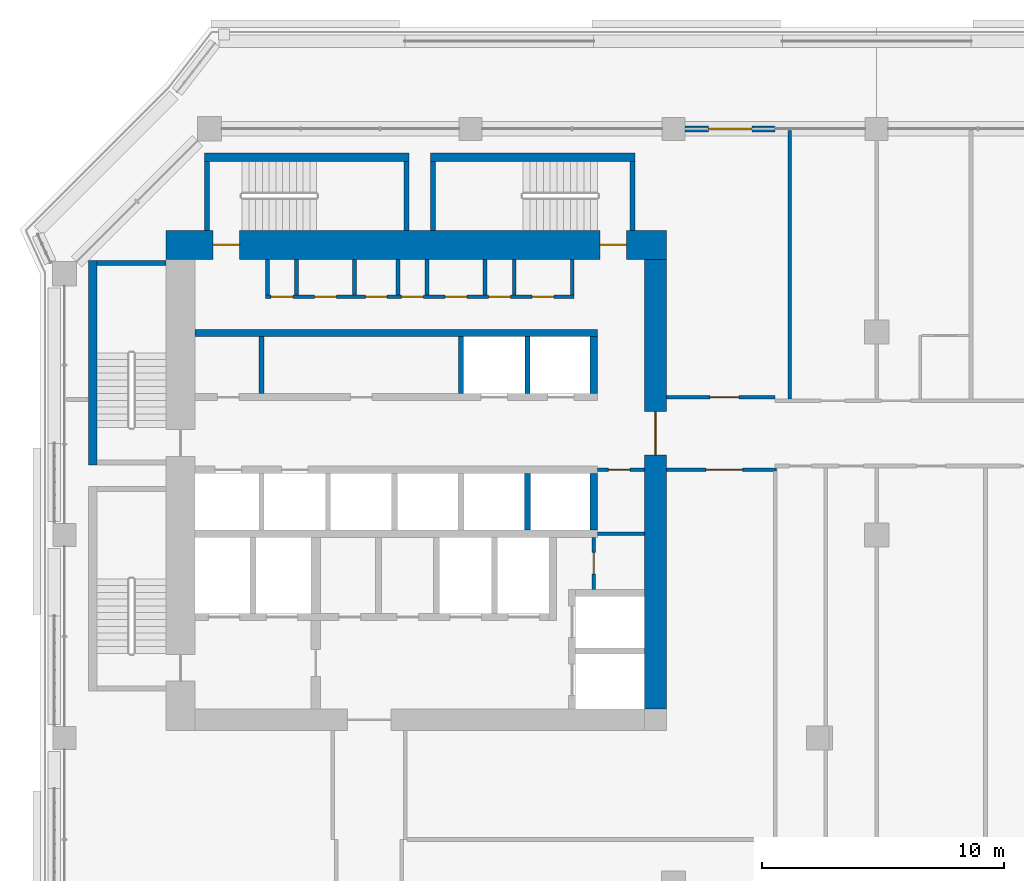
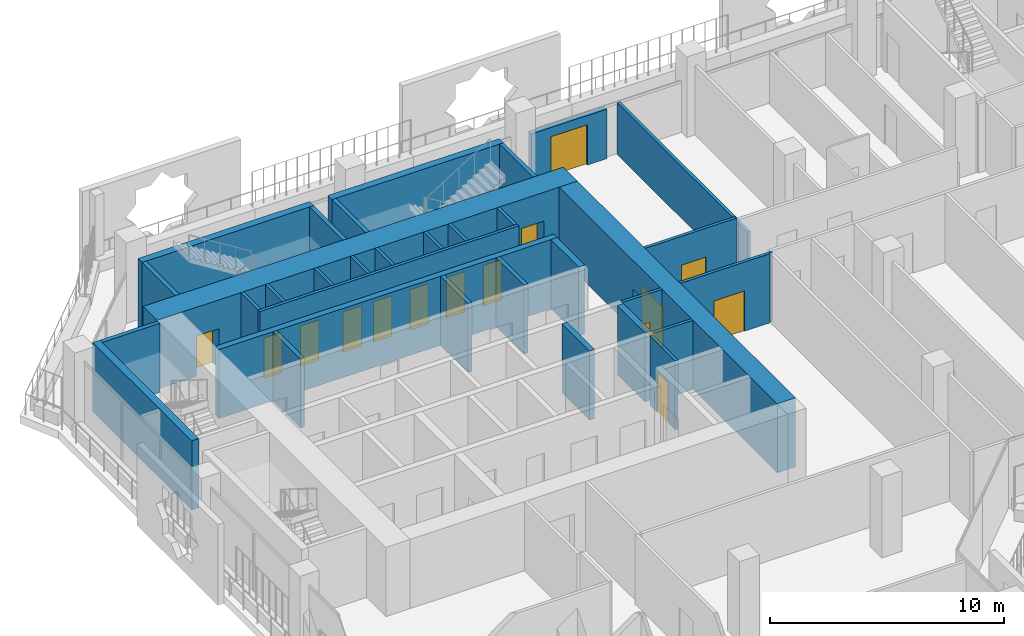
# One storey, part 12 of 23: 34 walls, 15 doors, 15 openings.
"""IFC4 building model written with IfcOpenShell, lengths in metres."""

from ifc_helpers import new_model, si_unit, direction, frame, frame_2d, origin, place, context, subcontext, project, spatial, rectangle, extrude, material, layer, layer_set, type_object, element, fill, save


model = new_model("IFC4")

# Units and contexts
model_context = context("Model", 3, precision=1e-05, world=origin(), true_north=direction((0.0, 1.0)))
body_context = subcontext(model_context, "Body", "Model", "MODEL_VIEW")
ifc_project = project(units=[si_unit("LENGTHUNIT", "METRE"), si_unit("AREAUNIT", "SQUARE_METRE"), si_unit("VOLUMEUNIT", "CUBIC_METRE"), si_unit("PLANEANGLEUNIT", "RADIAN"), si_unit("MASSUNIT", "GRAM", prefix="KILO")], contexts=[model_context])

# Site, building, storey
site_placement = place(None, origin())
site = spatial("IfcSite", under=ifc_project, at=site_placement, CompositionType="ELEMENT")
building_placement = place(site_placement, origin())
building = spatial("IfcBuilding", under=site, at=building_placement, Name="Kawkab Arch Medical Tower", CompositionType="ELEMENT")
storey_placement = place(building_placement, frame((0.0, 0.0, 175.199951171875)))
storey = spatial("IfcBuildingStorey", under=building, at=storey_placement, Name="L40", CompositionType="ELEMENT", Elevation=175.199951171875)

# Wall, openings, doors
ifc_material_1 = material(Name="Concrete C55/67", Category="concrete")
ifc_layer_1 = layer(ifc_material_1, 1.199951171875)
ifc_layer_set_1 = layer_set([ifc_layer_1], Name="Concrete C55/67")
wall_type_1 = type_object("IfcWallType", Name="Core ring wall 1200 C55/67", PredefinedType="SHEAR", material=ifc_layer_set_1)
wall_1_placement = place(storey_placement, frame((4.199951171875, -4.800048828125, 0.0), z_axis=(0.0, 0.0, 1.0), x_axis=(1.0, 0.0, 0.0)))
wall_1 = element("IfcWall", 1, at=wall_1_placement, inside=storey, type_object=wall_type_1, Name="L40 core wall", PredefinedType="SHEAR", context=body_context, shape_type="SweptSolid", body=[
    extrude(rectangle(XDim=20.699951171875, YDim=1.199951171875, at=frame_2d((10.35009765625, 0.0))), origin(), (0.0, 0.0, 1.0), 3.60009765625),
])
opening_1_placement = place(wall_1_placement, frame((1.949951171875, 0.0, 0.0)))
opening_1 = element("IfcOpeningElement", 2, at=opening_1_placement, cuts=wall_1, Name="Opening SD", PredefinedType="OPENING", context=body_context, shape_type="SweptSolid", body=[
    extrude(rectangle(XDim=1.10009765625, YDim=2.10009765625, at=frame_2d((0.550048828125, 1.050048828125))), frame((0.0, 0.60986328125, 0.0), z_axis=(0.0, -1.0, 0.0), x_axis=(1.0, 0.0, 0.0)), (0.0, 0.0, 1.0), 1.219970703125),
])
opening_2_placement = place(wall_1_placement, frame((17.949951171875, 0.0, 0.0)))
opening_2 = element("IfcOpeningElement", 3, at=opening_2_placement, cuts=wall_1, Name="Opening SD", PredefinedType="OPENING", context=body_context, shape_type="SweptSolid", body=[
    extrude(rectangle(XDim=1.10009765625, YDim=2.10009765625, at=frame_2d((0.550048828125, 1.050048828125))), frame((0.0, 0.60986328125, 0.0), z_axis=(0.0, -1.0, 0.0), x_axis=(1.0, 0.0, 0.0)), (0.0, 0.0, 1.0), 1.219970703125),
])
ifc_material_2 = material(Name="Hollow metal fire door leaf")
door_type_1 = type_object("IfcDoorType", Name="Exit stair door 1100", OperationType="SINGLE_SWING_LEFT", PredefinedType="DOOR", material=ifc_material_2)
door_1_placement = place(opening_1_placement, origin())
door_1 = element("IfcDoor", 4, at=door_1_placement, inside=storey, type_object=door_type_1, Name="L40 Exit stair ST3 door", OperationType="SINGLE_SWING_LEFT", OverallHeight=2.10009765625, OverallWidth=1.10009765625, PredefinedType="DOOR", context=body_context, shape_type="SweptSolid", body=[
    extrude(rectangle(XDim=1.10009765625, YDim=2.10009765625, at=frame_2d((0.550048828125, 1.050048828125))), frame((0.0, 0.02490234375, 0.0), z_axis=(0.0, -1.0, 0.0), x_axis=(1.0, 0.0, 0.0)), (0.0, 0.0, 1.0), 0.050048828125),
])
fill(opening_1, door_1)
door_2_placement = place(opening_2_placement, origin())
door_2 = element("IfcDoor", 5, at=door_2_placement, inside=storey, type_object=door_type_1, Name="L40 Exit stair ST4 door", OperationType="SINGLE_SWING_LEFT", OverallHeight=2.10009765625, OverallWidth=1.10009765625, PredefinedType="DOOR", context=body_context, shape_type="SweptSolid", body=[
    extrude(rectangle(XDim=1.10009765625, YDim=2.10009765625, at=frame_2d((0.550048828125, 1.050048828125))), frame((0.0, 0.02490234375, 0.0), z_axis=(0.0, -1.0, 0.0), x_axis=(1.0, 0.0, 0.0)), (0.0, 0.0, 1.0), 0.050048828125),
])
fill(opening_2, door_2)

# Wall, opening, door
ifc_material_3 = material(Name="Concrete C55/67", Category="concrete")
ifc_layer_2 = layer(ifc_material_3, 0.89990234375)
ifc_layer_set_2 = layer_set([ifc_layer_2], Name="Concrete C55/67")
wall_type_2 = type_object("IfcWallType", Name="Core ring wall 900 C55/67", PredefinedType="SHEAR", material=ifc_layer_set_2)
wall_2_placement = place(storey_placement, frame((24.449951171875, -24.0, 0.0), z_axis=(0.0, 0.0, 1.0), x_axis=(0.0, 1.0, 0.0)))
wall_2 = element("IfcWall", 6, at=wall_2_placement, inside=storey, type_object=wall_type_2, Name="L40 core wall", PredefinedType="SHEAR", context=body_context, shape_type="SweptSolid", body=[
    extrude(rectangle(XDim=18.60009765625, YDim=0.89990234375, at=frame_2d((9.300048828125, 0.0))), origin(), (0.0, 0.0, 1.0), 3.60009765625),
])
opening_3_placement = place(wall_2_placement, frame((10.5, 0.0, 0.0)))
opening_3 = element("IfcOpeningElement", 7, at=opening_3_placement, cuts=wall_2, Name="Opening PD", PredefinedType="OPENING", context=body_context, shape_type="SweptSolid", body=[
    extrude(rectangle(XDim=1.800048828125, YDim=2.10009765625, at=frame_2d((0.89990234375, 1.050048828125))), frame((0.0, 0.4599609375, 0.0), z_axis=(0.0, -1.0, 0.0), x_axis=(1.0, 0.0, 0.0)), (0.0, 0.0, 1.0), 0.919921875),
])
ifc_material_4 = material(Name="Hollow metal fire door leaf")
door_type_2 = type_object("IfcDoorType", Name="Core entrance doors 1800", OperationType="DOUBLE_DOOR_SINGLE_SWING", PredefinedType="DOOR", material=ifc_material_4)
door_3_placement = place(opening_3_placement, origin())
door_3 = element("IfcDoor", 8, at=door_3_placement, inside=storey, type_object=door_type_2, Name="L40 East entrance doors", OperationType="DOUBLE_DOOR_SINGLE_SWING", OverallHeight=2.10009765625, OverallWidth=1.800048828125, PredefinedType="DOOR", context=body_context, shape_type="SweptSolid", body=[
    extrude(rectangle(XDim=1.800048828125, YDim=2.10009765625, at=frame_2d((0.89990234375, 1.050048828125))), frame((0.0, 0.02490234375, 0.0), z_axis=(0.0, -1.0, 0.0), x_axis=(1.0, 0.0, 0.0)), (0.0, 0.0, 1.0), 0.050048828125),
])
fill(opening_3, door_3)

ifc_material_5 = material(Name="Gypsum board on steel studs", Category="steel")
ifc_layer_3 = layer(ifc_material_5, 0.14990234375)
ifc_layer_set_3 = layer_set([ifc_layer_3], Name="Gypsum board on steel studs")
wall_type_3 = type_object("IfcWallType", Name="Core room partition 150", PredefinedType="PARTITIONING", material=ifc_layer_set_3)
wall_3_placement = place(storey_placement, frame((21.89990234375, -19.050048828125, 0.0), z_axis=(0.0, 0.0, 1.0), x_axis=(0.0, 1.0, 0.0)))
wall_3 = element("IfcWall", 9, at=wall_3_placement, inside=storey, type_object=wall_type_3, Name="L40 core room partition", PredefinedType="PARTITIONING", context=body_context, shape_type="SweptSolid", body=[
    extrude(rectangle(XDim=2.150146484375, YDim=0.14990234375, at=frame_2d((1.0751953125, 0.0))), origin(), (0.0, 0.0, 1.0), 3.60009765625),
])
opening_4_placement = place(wall_3_placement, frame((0.625, 0.0, 0.0)))
opening_4 = element("IfcOpeningElement", 10, at=opening_4_placement, cuts=wall_3, Name="Opening RD", PredefinedType="OPENING", context=body_context, shape_type="SweptSolid", body=[
    extrude(rectangle(XDim=0.89990234375, YDim=2.10009765625, at=frame_2d((0.449951171875, 1.050048828125))), frame((0.0, 0.0849609375, 0.0), z_axis=(0.0, -1.0, 0.0), x_axis=(1.0, 0.0, 0.0)), (0.0, 0.0, 1.0), 0.169921875),
])
ifc_material_6 = material(Name="Hollow metal fire door leaf")
door_type_3 = type_object("IfcDoorType", Name="Core room door 900", OperationType="SINGLE_SWING_LEFT", PredefinedType="DOOR", material=ifc_material_6)
door_4_placement = place(opening_4_placement, origin())
door_4 = element("IfcDoor", 11, at=door_4_placement, inside=storey, type_object=door_type_3, Name="L40 Staff WC door", OperationType="SINGLE_SWING_LEFT", OverallHeight=2.10009765625, OverallWidth=0.89990234375, PredefinedType="DOOR", context=body_context, shape_type="SweptSolid", body=[
    extrude(rectangle(XDim=0.89990234375, YDim=2.10009765625, at=frame_2d((0.449951171875, 1.050048828125))), frame((0.0, 0.02490234375, 0.0), z_axis=(0.0, -1.0, 0.0), x_axis=(1.0, 0.0, 0.0)), (0.0, 0.0, 1.0), 0.050048828125),
])
fill(opening_4, door_4)

# Wall
wall_4_placement = place(storey_placement, frame((22.050048828125, -16.75, 0.0), z_axis=(0.0, 0.0, 1.0), x_axis=(1.0, 0.0, 0.0)))
element("IfcWall", 12, at=wall_4_placement, inside=storey, type_object=wall_type_3, Name="L40 core room partition", PredefinedType="PARTITIONING", context=body_context, shape_type="SweptSolid", body=[
    extrude(rectangle(XDim=1.949951171875, YDim=0.14990234375, at=frame_2d((0.97509765625, 0.0))), origin(), (0.0, 0.0, 1.0), 3.60009765625),
])

# Wall, opening, door
wall_5_placement = place(storey_placement, frame((22.050048828125, -14.10009765625, 0.0), z_axis=(0.0, 0.0, 1.0), x_axis=(1.0, 0.0, 0.0)))
wall_5 = element("IfcWall", 13, at=wall_5_placement, inside=storey, type_object=wall_type_3, Name="L40 core room partition", PredefinedType="PARTITIONING", context=body_context, shape_type="SweptSolid", body=[
    extrude(rectangle(XDim=1.949951171875, YDim=0.14990234375, at=frame_2d((0.97509765625, 0.0))), origin(), (0.0, 0.0, 1.0), 3.60009765625),
])
opening_5_placement = place(wall_5_placement, frame((0.449951171875, 0.0, 0.0)))
opening_5 = element("IfcOpeningElement", 14, at=opening_5_placement, cuts=wall_5, Name="Opening RD", PredefinedType="OPENING", context=body_context, shape_type="SweptSolid", body=[
    extrude(rectangle(XDim=0.89990234375, YDim=2.10009765625, at=frame_2d((0.449951171875, 1.050048828125))), frame((0.0, 0.0849609375, 0.0), z_axis=(0.0, -1.0, 0.0), x_axis=(1.0, 0.0, 0.0)), (0.0, 0.0, 1.0), 0.169921875),
])
door_5_placement = place(opening_5_placement, origin())
door_5 = element("IfcDoor", 15, at=door_5_placement, inside=storey, type_object=door_type_3, Name="L40 Linen store door", OperationType="SINGLE_SWING_LEFT", OverallHeight=2.10009765625, OverallWidth=0.89990234375, PredefinedType="DOOR", context=body_context, shape_type="SweptSolid", body=[
    extrude(rectangle(XDim=0.89990234375, YDim=2.10009765625, at=frame_2d((0.449951171875, 1.050048828125))), frame((0.0, 0.02490234375, 0.0), z_axis=(0.0, -1.0, 0.0), x_axis=(1.0, 0.0, 0.0)), (0.0, 0.0, 1.0), 0.050048828125),
])
fill(opening_5, door_5)

# Wall, openings, doors
wall_6_placement = place(storey_placement, frame((8.324951171875, -6.949951171875, 0.0), z_axis=(0.0, 0.0, 1.0), x_axis=(1.0, 0.0, 0.0)))
wall_6 = element("IfcWall", 16, at=wall_6_placement, inside=storey, type_object=wall_type_3, Name="L40 core room partition", PredefinedType="PARTITIONING", context=body_context, shape_type="SweptSolid", body=[
    extrude(rectangle(XDim=12.75, YDim=0.14990234375, at=frame_2d((6.375, 0.0))), origin(), (0.0, 0.0, 1.0), 3.60009765625),
])
opening_6_placement = place(wall_6_placement, frame((0.22509765625, 0.0, 0.0)))
opening_6 = element("IfcOpeningElement", 17, at=opening_6_placement, cuts=wall_6, Name="Opening RD", PredefinedType="OPENING", context=body_context, shape_type="SweptSolid", body=[
    extrude(rectangle(XDim=0.89990234375, YDim=2.10009765625, at=frame_2d((0.449951171875, 1.050048828125))), frame((0.0, 0.0849609375, 0.0), z_axis=(0.0, -1.0, 0.0), x_axis=(1.0, 0.0, 0.0)), (0.0, 0.0, 1.0), 0.169921875),
])
opening_7_placement = place(wall_6_placement, frame((2.02490234375, 0.0, 0.0)))
opening_7 = element("IfcOpeningElement", 18, at=opening_7_placement, cuts=wall_6, Name="Opening RD", PredefinedType="OPENING", context=body_context, shape_type="SweptSolid", body=[
    extrude(rectangle(XDim=0.89990234375, YDim=2.10009765625, at=frame_2d((0.449951171875, 1.050048828125))), frame((0.0, 0.0849609375, 0.0), z_axis=(0.0, -1.0, 0.0), x_axis=(1.0, 0.0, 0.0)), (0.0, 0.0, 1.0), 0.169921875),
])
opening_8_placement = place(wall_6_placement, frame((4.125, 0.0, 0.0)))
opening_8 = element("IfcOpeningElement", 19, at=opening_8_placement, cuts=wall_6, Name="Opening RD", PredefinedType="OPENING", context=body_context, shape_type="SweptSolid", body=[
    extrude(rectangle(XDim=0.89990234375, YDim=2.10009765625, at=frame_2d((0.449951171875, 1.050048828125))), frame((0.0, 0.0849609375, 0.0), z_axis=(0.0, -1.0, 0.0), x_axis=(1.0, 0.0, 0.0)), (0.0, 0.0, 1.0), 0.169921875),
])
opening_9_placement = place(wall_6_placement, frame((5.625, 0.0, 0.0)))
opening_9 = element("IfcOpeningElement", 20, at=opening_9_placement, cuts=wall_6, Name="Opening RD", PredefinedType="OPENING", context=body_context, shape_type="SweptSolid", body=[
    extrude(rectangle(XDim=0.89990234375, YDim=2.10009765625, at=frame_2d((0.449951171875, 1.050048828125))), frame((0.0, 0.0849609375, 0.0), z_axis=(0.0, -1.0, 0.0), x_axis=(1.0, 0.0, 0.0)), (0.0, 0.0, 1.0), 0.169921875),
])
opening_10_placement = place(wall_6_placement, frame((7.425048828125, 0.0, 0.0)))
opening_10 = element("IfcOpeningElement", 21, at=opening_10_placement, cuts=wall_6, Name="Opening RD", PredefinedType="OPENING", context=body_context, shape_type="SweptSolid", body=[
    extrude(rectangle(XDim=0.89990234375, YDim=2.10009765625, at=frame_2d((0.449951171875, 1.050048828125))), frame((0.0, 0.0849609375, 0.0), z_axis=(0.0, -1.0, 0.0), x_axis=(1.0, 0.0, 0.0)), (0.0, 0.0, 1.0), 0.169921875),
])
opening_11_placement = place(wall_6_placement, frame((9.22509765625, 0.0, 0.0)))
opening_11 = element("IfcOpeningElement", 22, at=opening_11_placement, cuts=wall_6, Name="Opening RD", PredefinedType="OPENING", context=body_context, shape_type="SweptSolid", body=[
    extrude(rectangle(XDim=0.89990234375, YDim=2.10009765625, at=frame_2d((0.449951171875, 1.050048828125))), frame((0.0, 0.0849609375, 0.0), z_axis=(0.0, -1.0, 0.0), x_axis=(1.0, 0.0, 0.0)), (0.0, 0.0, 1.0), 0.169921875),
])
opening_12_placement = place(wall_6_placement, frame((11.02490234375, 0.0, 0.0)))
opening_12 = element("IfcOpeningElement", 23, at=opening_12_placement, cuts=wall_6, Name="Opening RD", PredefinedType="OPENING", context=body_context, shape_type="SweptSolid", body=[
    extrude(rectangle(XDim=0.89990234375, YDim=2.10009765625, at=frame_2d((0.449951171875, 1.050048828125))), frame((0.0, 0.0849609375, 0.0), z_axis=(0.0, -1.0, 0.0), x_axis=(1.0, 0.0, 0.0)), (0.0, 0.0, 1.0), 0.169921875),
])
door_6_placement = place(opening_6_placement, origin())
door_6 = element("IfcDoor", 24, at=door_6_placement, inside=storey, type_object=door_type_3, Name="L40 Electrical riser room door", OperationType="SINGLE_SWING_LEFT", OverallHeight=2.10009765625, OverallWidth=0.89990234375, PredefinedType="DOOR", context=body_context, shape_type="SweptSolid", body=[
    extrude(rectangle(XDim=0.89990234375, YDim=2.10009765625, at=frame_2d((0.449951171875, 1.050048828125))), frame((0.0, 0.02490234375, 0.0), z_axis=(0.0, -1.0, 0.0), x_axis=(1.0, 0.0, 0.0)), (0.0, 0.0, 1.0), 0.050048828125),
])
fill(opening_6, door_6)
door_7_placement = place(opening_7_placement, origin())
door_7 = element("IfcDoor", 25, at=door_7_placement, inside=storey, type_object=door_type_3, Name="L40 Comms room door", OperationType="SINGLE_SWING_LEFT", OverallHeight=2.10009765625, OverallWidth=0.89990234375, PredefinedType="DOOR", context=body_context, shape_type="SweptSolid", body=[
    extrude(rectangle(XDim=0.89990234375, YDim=2.10009765625, at=frame_2d((0.449951171875, 1.050048828125))), frame((0.0, 0.02490234375, 0.0), z_axis=(0.0, -1.0, 0.0), x_axis=(1.0, 0.0, 0.0)), (0.0, 0.0, 1.0), 0.050048828125),
])
fill(opening_7, door_7)
door_8_placement = place(opening_8_placement, origin())
door_8 = element("IfcDoor", 26, at=door_8_placement, inside=storey, type_object=door_type_3, Name="L40 Medical gas plant room door", OperationType="SINGLE_SWING_LEFT", OverallHeight=2.10009765625, OverallWidth=0.89990234375, PredefinedType="DOOR", context=body_context, shape_type="SweptSolid", body=[
    extrude(rectangle(XDim=0.89990234375, YDim=2.10009765625, at=frame_2d((0.449951171875, 1.050048828125))), frame((0.0, 0.02490234375, 0.0), z_axis=(0.0, -1.0, 0.0), x_axis=(1.0, 0.0, 0.0)), (0.0, 0.0, 1.0), 0.050048828125),
])
fill(opening_8, door_8)
door_9_placement = place(opening_9_placement, origin())
door_9 = element("IfcDoor", 27, at=door_9_placement, inside=storey, type_object=door_type_3, Name="L40 Sprinkler valve room door", OperationType="SINGLE_SWING_LEFT", OverallHeight=2.10009765625, OverallWidth=0.89990234375, PredefinedType="DOOR", context=body_context, shape_type="SweptSolid", body=[
    extrude(rectangle(XDim=0.89990234375, YDim=2.10009765625, at=frame_2d((0.449951171875, 1.050048828125))), frame((0.0, 0.02490234375, 0.0), z_axis=(0.0, -1.0, 0.0), x_axis=(1.0, 0.0, 0.0)), (0.0, 0.0, 1.0), 0.050048828125),
])
fill(opening_9, door_9)
door_10_placement = place(opening_10_placement, origin())
door_10 = element("IfcDoor", 28, at=door_10_placement, inside=storey, type_object=door_type_3, Name="L40 Housekeeping store door", OperationType="SINGLE_SWING_LEFT", OverallHeight=2.10009765625, OverallWidth=0.89990234375, PredefinedType="DOOR", context=body_context, shape_type="SweptSolid", body=[
    extrude(rectangle(XDim=0.89990234375, YDim=2.10009765625, at=frame_2d((0.449951171875, 1.050048828125))), frame((0.0, 0.02490234375, 0.0), z_axis=(0.0, -1.0, 0.0), x_axis=(1.0, 0.0, 0.0)), (0.0, 0.0, 1.0), 0.050048828125),
])
fill(opening_10, door_10)
door_11_placement = place(opening_11_placement, origin())
door_11 = element("IfcDoor", 29, at=door_11_placement, inside=storey, type_object=door_type_3, Name="L40 Electrical riser room door", OperationType="SINGLE_SWING_LEFT", OverallHeight=2.10009765625, OverallWidth=0.89990234375, PredefinedType="DOOR", context=body_context, shape_type="SweptSolid", body=[
    extrude(rectangle(XDim=0.89990234375, YDim=2.10009765625, at=frame_2d((0.449951171875, 1.050048828125))), frame((0.0, 0.02490234375, 0.0), z_axis=(0.0, -1.0, 0.0), x_axis=(1.0, 0.0, 0.0)), (0.0, 0.0, 1.0), 0.050048828125),
])
fill(opening_11, door_11)
door_12_placement = place(opening_12_placement, origin())
door_12 = element("IfcDoor", 30, at=door_12_placement, inside=storey, type_object=door_type_3, Name="L40 General store door", OperationType="SINGLE_SWING_LEFT", OverallHeight=2.10009765625, OverallWidth=0.89990234375, PredefinedType="DOOR", context=body_context, shape_type="SweptSolid", body=[
    extrude(rectangle(XDim=0.89990234375, YDim=2.10009765625, at=frame_2d((0.449951171875, 1.050048828125))), frame((0.0, 0.02490234375, 0.0), z_axis=(0.0, -1.0, 0.0), x_axis=(1.0, 0.0, 0.0)), (0.0, 0.0, 1.0), 0.050048828125),
])
fill(opening_12, door_12)

# Walls
for number, where, z_axis, x_axis, name in (
    (31, (8.39990234375, -6.875, 0.0), (0.0, 0.0, 1.0), (0.0, 1.0, 0.0), "L40 core room partition"),
    (32, (9.60009765625, -6.875, 0.0), (0.0, 0.0, 1.0), (0.0, 1.0, 0.0), "L40 core room partition"),
    (33, (12.0, -6.875, 0.0), (0.0, 0.0, 1.0), (0.0, 1.0, 0.0), "L40 core room partition"),
    (34, (13.800048828125, -6.875, 0.0), (0.0, 0.0, 1.0), (0.0, 1.0, 0.0), "L40 core room partition"),
    (35, (15.0, -6.875, 0.0), (0.0, 0.0, 1.0), (0.0, 1.0, 0.0), "L40 core room partition"),
    (36, (17.39990234375, -6.875, 0.0), (0.0, 0.0, 1.0), (0.0, 1.0, 0.0), "L40 core room partition"),
    (37, (18.60009765625, -6.875, 0.0), (0.0, 0.0, 1.0), (0.0, 1.0, 0.0), "L40 core room partition"),
    (38, (21.0, -6.875, 0.0), (0.0, 0.0, 1.0), (0.0, 1.0, 0.0), "L40 core room partition"),
):
    element("IfcWall", number, at=place(storey_placement, frame(where, z_axis=z_axis, x_axis=x_axis)), inside=storey, type_object=wall_type_3, Name=name, PredefinedType="PARTITIONING", context=body_context, shape_type="SweptSolid", body=[
        extrude(rectangle(XDim=1.47509765625, YDim=0.14990234375, at=frame_2d((0.737548828125, 0.0))), origin(), (0.0, 0.0, 1.0), 3.60009765625),
    ])
ifc_material_7 = material(Name="Concrete C60/75", Category="concrete")
ifc_layer_4 = layer(ifc_material_7, 0.25)
ifc_layer_set_4 = layer_set([ifc_layer_4], Name="Concrete C60/75")
wall_type_4 = type_object("IfcWallType", Name="Core shear wall 250 C60/75", PredefinedType="SHEAR", material=ifc_layer_set_4)
wall_7_placement = place(storey_placement, frame((19.14990234375, -16.60009765625, 0.0), z_axis=(0.0, 0.0, 1.0), x_axis=(0.0, 1.0, 0.0)))
element("IfcWall", 39, at=wall_7_placement, inside=storey, type_object=wall_type_4, Name="L40 core shear wall", PredefinedType="SHEAR", context=body_context, shape_type="SweptSolid", body=[
    extrude(rectangle(XDim=2.35009765625, YDim=0.25, at=frame_2d((1.175048828125, 0.0))), origin(), (0.0, 0.0, 1.0), 3.60009765625),
])
ifc_material_8 = material(Name="Concrete C60/75", Category="concrete")
ifc_layer_5 = layer(ifc_material_8, 0.300048828125)
ifc_layer_set_5 = layer_set([ifc_layer_5], Name="Concrete C60/75")
wall_type_5 = type_object("IfcWallType", Name="Core shear wall 300 C60/75", PredefinedType="SHEAR", material=ifc_layer_set_5)
wall_8_placement = place(storey_placement, frame((5.39990234375, -8.449951171875, 0.0), z_axis=(0.0, 0.0, 1.0), x_axis=(1.0, 0.0, 0.0)))
element("IfcWall", 40, at=wall_8_placement, inside=storey, type_object=wall_type_5, Name="L40 core shear wall", PredefinedType="SHEAR", context=body_context, shape_type="SweptSolid", body=[
    extrude(rectangle(XDim=16.650146484375, YDim=0.300048828125, at=frame_2d((8.3251953125, 0.0))), origin(), (0.0, 0.0, 1.0), 3.60009765625),
])
wall_9_placement = place(storey_placement, frame((21.89990234375, -10.949951171875, 0.0), z_axis=(0.0, 0.0, 1.0), x_axis=(0.0, 1.0, 0.0)))
element("IfcWall", 41, at=wall_9_placement, inside=storey, type_object=wall_type_5, Name="L40 core shear wall", PredefinedType="SHEAR", context=body_context, shape_type="SweptSolid", body=[
    extrude(rectangle(XDim=2.349853515625, YDim=0.300048828125, at=frame_2d((1.1748046875, 0.0))), origin(), (0.0, 0.0, 1.0), 3.60009765625),
])
wall_10_placement = place(storey_placement, frame((21.89990234375, -16.60009765625, 0.0), z_axis=(0.0, 0.0, 1.0), x_axis=(0.0, 1.0, 0.0)))
element("IfcWall", 42, at=wall_10_placement, inside=storey, type_object=wall_type_5, Name="L40 core shear wall", PredefinedType="SHEAR", context=body_context, shape_type="SweptSolid", body=[
    extrude(rectangle(XDim=2.35009765625, YDim=0.300048828125, at=frame_2d((1.175048828125, 0.0))), origin(), (0.0, 0.0, 1.0), 3.60009765625),
])

# Wall, opening, door
ifc_material_9 = material(Name="Bronze clad insulated wall panel")
ifc_layer_6 = layer(ifc_material_9, 0.25)
ifc_layer_set_6 = layer_set([ifc_layer_6], Name="Bronze clad insulated wall panel")
wall_type_6 = type_object("IfcWallType", Name="External wall bay 250", PredefinedType="SOLIDWALL", material=ifc_layer_set_6)
wall_11_placement = place(storey_placement, frame((29.39990234375, 0.0, 0.0), z_axis=(0.0, 0.0, 1.0), x_axis=(-1.0, 0.0, 0.0)))
wall_11 = element("IfcWall", 43, at=wall_11_placement, inside=storey, type_object=wall_type_6, Name="External wall bay L40.R11.4.2", PredefinedType="SOLIDWALL", context=body_context, shape_type="SweptSolid", body=[
    extrude(rectangle(XDim=3.724853515625, YDim=0.25, at=frame_2d((1.8623046875, 0.0))), origin(), (0.0, 0.0, 1.0), 2.580078125),
])
opening_13_placement = place(wall_11_placement, frame((0.96240234375, 0.0, 0.0)))
opening_13 = element("IfcOpeningElement", 44, at=opening_13_placement, cuts=wall_11, Name="Opening W40-702", PredefinedType="OPENING", context=body_context, shape_type="SweptSolid", body=[
    extrude(rectangle(XDim=1.800048828125, YDim=2.10009765625, at=frame_2d((0.89990234375, 1.050048828125))), frame((0.0, 0.135009765625, 0.0), z_axis=(0.0, -1.0, 0.0), x_axis=(1.0, 0.0, 0.0)), (0.0, 0.0, 1.0), 0.27001953125),
])
ifc_material_10 = material(Name="Bronze anodised aluminium door with tinted glass", Category="aluminium")
door_type_4 = type_object("IfcDoorType", Name="Double external door 1800 x 2100", OperationType="DOUBLE_DOOR_SINGLE_SWING", PredefinedType="DOOR", material=ifc_material_10)
door_13_placement = place(opening_13_placement, origin())
door_13 = element("IfcDoor", 45, at=door_13_placement, inside=storey, type_object=door_type_4, Name="External door L40.R11.4.2", OperationType="DOUBLE_DOOR_SINGLE_SWING", OverallHeight=2.10009765625, OverallWidth=1.800048828125, PredefinedType="DOOR", context=body_context, shape_type="SweptSolid", body=[
    extrude(rectangle(XDim=1.800048828125, YDim=2.10009765625, at=frame_2d((0.89990234375, 1.050048828125))), frame((0.0, 0.02490234375, 0.0), z_axis=(0.0, -1.0, 0.0), x_axis=(1.0, 0.0, 0.0)), (0.0, 0.0, 1.0), 0.050048828125),
])
fill(opening_13, door_13)

# Walls
ifc_material_11 = material(Name="Dense concrete blockwork", Category="masonry")
ifc_layer_7 = layer(ifc_material_11, 0.199951171875)
ifc_layer_set_7 = layer_set([ifc_layer_7], Name="Dense concrete blockwork")
wall_type_7 = type_object("IfcWallType", Name="Lift shaft partition 200", PredefinedType="PARTITIONING", material=ifc_layer_set_7)
for number, where, z_axis, x_axis, name in (
    (46, (8.14990234375, -10.949951171875, 0.0), (0.0, 0.0, 1.0), (0.0, 1.0, 0.0), "L40 lift shaft partition"),
    (47, (16.39990234375, -10.949951171875, 0.0), (0.0, 0.0, 1.0), (0.0, 1.0, 0.0), "L40 lift shaft partition"),
    (48, (19.14990234375, -10.949951171875, 0.0), (0.0, 0.0, 1.0), (0.0, 1.0, 0.0), "L40 lift shaft partition"),
):
    element("IfcWall", number, at=place(storey_placement, frame(where, z_axis=z_axis, x_axis=x_axis)), inside=storey, type_object=wall_type_7, Name=name, PredefinedType="PARTITIONING", context=body_context, shape_type="SweptSolid", body=[
        extrude(rectangle(XDim=2.349853515625, YDim=0.199951171875, at=frame_2d((1.1748046875, 0.0))), origin(), (0.0, 0.0, 1.0), 3.60009765625),
    ])
ifc_material_12 = material(Name="Gypsum board partition on steel studs", Category="steel")
ifc_layer_8 = layer(ifc_material_12, 0.10009765625)
ifc_layer_set_8 = layer_set([ifc_layer_8], Name="Gypsum board partition on steel studs")
wall_type_8 = type_object("IfcWallType", Name="Partition 100", PredefinedType="PARTITIONING", material=ifc_layer_set_8)
wall_12_placement = place(storey_placement, frame((29.39990234375, -14.14697265625, 0.0), z_axis=(0.0, 0.0, 1.0), x_axis=(0.0, 1.0, 0.0)))
element("IfcWall", 49, at=wall_12_placement, inside=storey, type_object=wall_type_8, Name="Partition 100 w009", PredefinedType="PARTITIONING", context=body_context, shape_type="SweptSolid", body=[
    extrude(rectangle(XDim=0.119873046875, YDim=0.10009765625, at=frame_2d((0.06005859375, 0.0))), origin(), (0.0, 0.0, 1.0), 3.60009765625),
])

# Wall, opening, door
ifc_material_13 = material(Name="Gypsum board partition on steel studs, mineral wool", Category="steel")
ifc_layer_9 = layer(ifc_material_13, 0.14990234375)
ifc_layer_set_9 = layer_set([ifc_layer_9], Name="Gypsum board partition on steel studs, mineral wool")
wall_type_9 = type_object("IfcWallType", Name="Partition 150", PredefinedType="PARTITIONING", material=ifc_layer_set_9)
wall_13_placement = place(storey_placement, frame((24.89990234375, -14.10009765625, 0.0), z_axis=(0.0, 0.0, 1.0), x_axis=(1.0, 0.0, 0.0)))
wall_13 = element("IfcWall", 50, at=wall_13_placement, inside=storey, type_object=wall_type_9, Name="Partition 150 w027", PredefinedType="PARTITIONING", context=body_context, shape_type="SweptSolid", body=[
    extrude(rectangle(XDim=4.425048828125, YDim=0.14990234375, at=frame_2d((2.21240234375, 0.0))), origin(), (0.0, 0.0, 1.0), 3.60009765625),
])
opening_14_placement = place(wall_13_placement, frame((1.64990234375, 0.0, 0.0)))
opening_14 = element("IfcOpeningElement", 51, at=opening_14_placement, cuts=wall_13, Name="Opening W40-001", PredefinedType="OPENING", context=body_context, shape_type="SweptSolid", body=[
    extrude(rectangle(XDim=1.5, YDim=2.10009765625, at=frame_2d((0.75, 1.050048828125))), frame((0.0, 0.0849609375, 0.0), z_axis=(0.0, -1.0, 0.0), x_axis=(1.0, 0.0, 0.0)), (0.0, 0.0, 1.0), 0.169921875),
])
ifc_material_14 = material(Name="Hollow metal door leaf")
door_type_5 = type_object("IfcDoorType", Name="Double door 1500x2100 FD30S", OperationType="NOTDEFINED", PredefinedType="DOOR", material=ifc_material_14)
door_14_placement = place(opening_14_placement, origin())
door_14 = element("IfcDoor", 52, at=door_14_placement, inside=storey, type_object=door_type_5, Name="Door W40-001", OperationType="DOUBLE_DOOR_SINGLE_SWING", OverallHeight=2.10009765625, OverallWidth=1.5, PredefinedType="DOOR", context=body_context, shape_type="SweptSolid", body=[
    extrude(rectangle(XDim=1.5, YDim=2.10009765625, at=frame_2d((0.75, 1.050048828125))), frame((0.0, 0.02490234375, 0.0), z_axis=(0.0, -1.0, 0.0), x_axis=(1.0, 0.0, 0.0)), (0.0, 0.0, 1.0), 0.050048828125),
])
fill(opening_14, door_14)

wall_14_placement = place(storey_placement, frame((24.89990234375, -11.10009765625, 0.0), z_axis=(0.0, 0.0, 1.0), x_axis=(1.0, 0.0, 0.0)))
wall_14 = element("IfcWall", 53, at=wall_14_placement, inside=storey, type_object=wall_type_9, Name="Partition 150 w033", PredefinedType="PARTITIONING", context=body_context, shape_type="SweptSolid", body=[
    extrude(rectangle(XDim=4.498046875, YDim=0.14990234375, at=frame_2d((2.2490234375, 0.0))), origin(), (0.0, 0.0, 1.0), 3.60009765625),
])
opening_15_placement = place(wall_14_placement, frame((1.799072265625, 0.0, 0.0)))
opening_15 = element("IfcOpeningElement", 54, at=opening_15_placement, cuts=wall_14, Name="Opening W40-028", PredefinedType="OPENING", context=body_context, shape_type="SweptSolid", body=[
    extrude(rectangle(XDim=1.199951171875, YDim=2.10009765625, at=frame_2d((0.60009765625, 1.050048828125))), frame((0.0, 0.0849609375, 0.0), z_axis=(0.0, -1.0, 0.0), x_axis=(1.0, 0.0, 0.0)), (0.0, 0.0, 1.0), 0.169921875),
])
ifc_material_15 = material(Name="Hollow metal door leaf")
door_type_6 = type_object("IfcDoorType", Name="Single door 1200x2100 FD30S", OperationType="NOTDEFINED", PredefinedType="DOOR", material=ifc_material_15)
door_15_placement = place(opening_15_placement, origin())
door_15 = element("IfcDoor", 55, at=door_15_placement, inside=storey, type_object=door_type_6, Name="Door W40-028", OperationType="SINGLE_SWING_LEFT", OverallHeight=2.10009765625, OverallWidth=1.199951171875, PredefinedType="DOOR", context=body_context, shape_type="SweptSolid", body=[
    extrude(rectangle(XDim=1.199951171875, YDim=2.10009765625, at=frame_2d((0.60009765625, 1.050048828125))), frame((0.0, 0.02490234375, 0.0), z_axis=(0.0, -1.0, 0.0), x_axis=(1.0, 0.0, 0.0)), (0.0, 0.0, 1.0), 0.050048828125),
])
fill(opening_15, door_15)

# Walls
wall_15_placement = place(storey_placement, frame((30.0, -11.175048828125, 0.0), z_axis=(0.0, 0.0, 1.0), x_axis=(0.0, 1.0, 0.0)))
element("IfcWall", 56, at=wall_15_placement, inside=storey, type_object=wall_type_9, Name="Partition 150 w046", PredefinedType="PARTITIONING", context=body_context, shape_type="SweptSolid", body=[
    extrude(rectangle(XDim=11.094970703125, YDim=0.14990234375, at=frame_2d((5.54736328125, 0.0))), origin(), (0.0, 0.0, 1.0), 2.699951171875),
])
ifc_material_16 = material(Name="Concrete C50/60", Category="concrete")
ifc_layer_10 = layer(ifc_material_16, 0.199951171875)
ifc_layer_set_10 = layer_set([ifc_layer_10], Name="Concrete C50/60")
wall_type_10 = type_object("IfcWallType", Name="Stair enclosure wall 200 C50/60", PredefinedType="SHEAR", material=ifc_layer_set_10)
for number, where, z_axis, x_axis, name in (
    (57, (1.35009765625, -5.550048828125, 0.0), (0.0, 0.0, 1.0), (1.0, 0.0, 0.0), "L40 stair enclosure wall"),
    (58, (5.89990234375, -4.199951171875, 0.0), (0.0, 0.0, 1.0), (0.0, 1.0, 0.0), "L40 stair enclosure wall"),
    (59, (14.14990234375, -4.199951171875, 0.0), (0.0, 0.0, 1.0), (0.0, 1.0, 0.0), "L40 stair enclosure wall"),
    (60, (15.25, -4.199951171875, 0.0), (0.0, 0.0, 1.0), (0.0, 1.0, 0.0), "L40 stair enclosure wall"),
    (61, (23.5, -4.199951171875, 0.0), (0.0, 0.0, 1.0), (0.0, 1.0, 0.0), "L40 stair enclosure wall"),
):
    element("IfcWall", number, at=place(storey_placement, frame(where, z_axis=z_axis, x_axis=x_axis)), inside=storey, type_object=wall_type_10, Name=name, PredefinedType="SHEAR", context=body_context, shape_type="SweptSolid", body=[
        extrude(rectangle(XDim=2.849853515625, YDim=0.199951171875, at=frame_2d((1.4248046875, 0.0))), origin(), (0.0, 0.0, 1.0), 3.60009765625),
    ])
ifc_material_17 = material(Name="Concrete C50/60", Category="concrete")
ifc_layer_11 = layer(ifc_material_17, 0.35009765625)
ifc_layer_set_11 = layer_set([ifc_layer_11], Name="Concrete C50/60")
wall_type_11 = type_object("IfcWallType", Name="Stair enclosure wall 350 C50/60", PredefinedType="SHEAR", material=ifc_layer_set_11)
for number, where, z_axis, x_axis, name in (
    (62, (1.175048828125, -13.89990234375, 0.0), (0.0, 0.0, 1.0), (0.0, 1.0, 0.0), "L40 stair enclosure wall"),
    (63, (5.800048828125, -1.175048828125, 0.0), (0.0, 0.0, 1.0), (1.0, 0.0, 0.0), "L40 stair enclosure wall"),
):
    element("IfcWall", number, at=place(storey_placement, frame(where, z_axis=z_axis, x_axis=x_axis)), inside=storey, type_object=wall_type_11, Name=name, PredefinedType="SHEAR", context=body_context, shape_type="SweptSolid", body=[
        extrude(rectangle(XDim=8.449951171875, YDim=0.35009765625, at=frame_2d((4.22509765625, 0.0))), origin(), (0.0, 0.0, 1.0), 3.60009765625),
    ])
wall_16_placement = place(storey_placement, frame((15.14990234375, -1.175048828125, 0.0), z_axis=(0.0, 0.0, 1.0), x_axis=(1.0, 0.0, 0.0)))
element("IfcWall", 64, at=wall_16_placement, inside=storey, type_object=wall_type_11, Name="L40 stair enclosure wall", PredefinedType="SHEAR", context=body_context, shape_type="SweptSolid", body=[
    extrude(rectangle(XDim=8.4501953125, YDim=0.35009765625, at=frame_2d((4.22509765625, 0.0))), origin(), (0.0, 0.0, 1.0), 3.60009765625),
])

save(model, "model.ifc")
